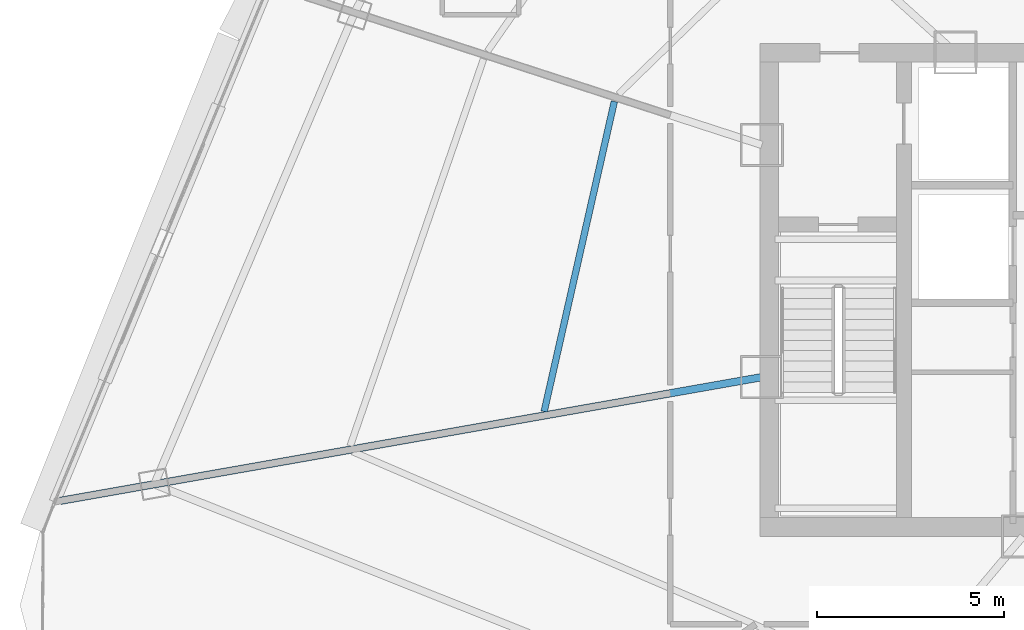
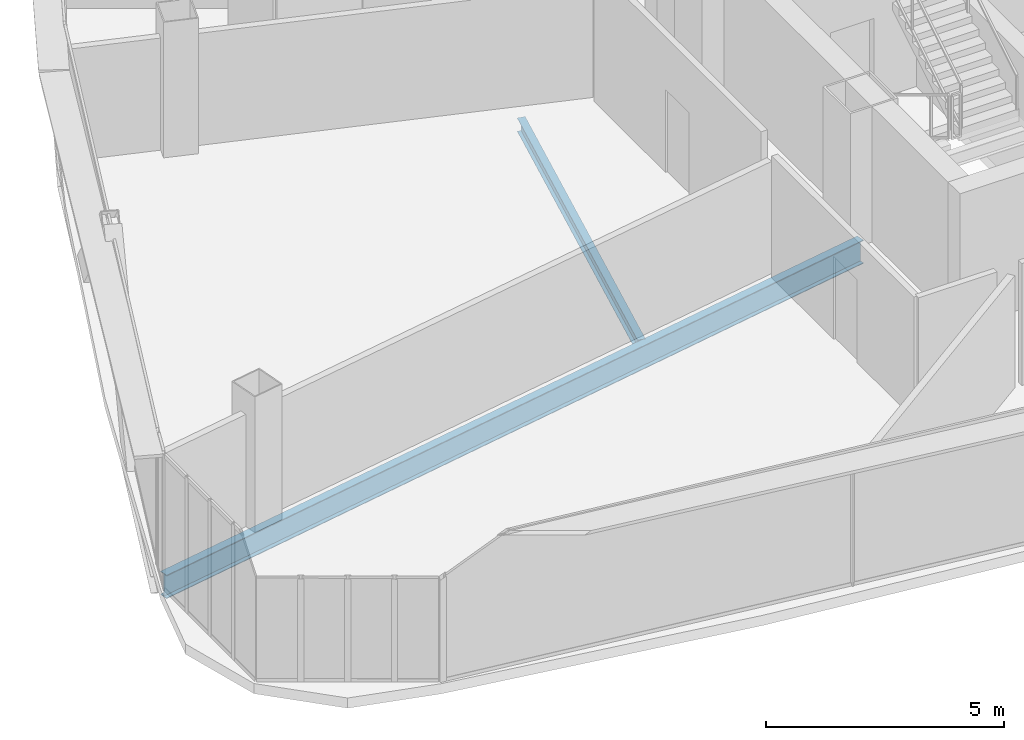
# One storey, part 5 of 40: 2 beams.
"""IFC4 building model written with IfcOpenShell, lengths in metres."""

from ifc_helpers import new_model, si_unit, direction, frame, origin, origin_2d, place, context, subcontext, project, spatial, i_section, extrude, source, transform, mapped, material, material_profile, profile_set, type_object, element, save


model = new_model("IFC4")

# Units and contexts
model_context = context("Model", 3, precision=1e-05, world=origin(), true_north=direction((0.0, 1.0)))
body_context = subcontext(model_context, "Body", "Model", "MODEL_VIEW")
ifc_project = project(units=[si_unit("LENGTHUNIT", "METRE"), si_unit("AREAUNIT", "SQUARE_METRE"), si_unit("VOLUMEUNIT", "CUBIC_METRE"), si_unit("PLANEANGLEUNIT", "RADIAN"), si_unit("MASSUNIT", "GRAM", prefix="KILO"), si_unit("THERMODYNAMICTEMPERATUREUNIT", "KELVIN"), si_unit("POWERUNIT", "WATT")], contexts=[model_context])

# Site, building, storey
site_placement = place(None, origin())
site = spatial("IfcSite", under=ifc_project, at=site_placement, CompositionType="ELEMENT")
building_placement = place(site_placement, origin())
building = spatial("IfcBuilding", under=site, at=building_placement, Name="Yunzhuo Pagoda Commons", CompositionType="ELEMENT")
storey_placement = place(building_placement, frame((0.0, 0.0, 292.47998046875)))
storey = spatial("IfcBuildingStorey", under=building, at=storey_placement, Name="L73", CompositionType="ELEMENT", Elevation=292.47998046875)

# Beams
ifc_material = material(Name="Structural steel Q355B", Category="steel")
ifc_material_profile_1 = material_profile(ifc_material, i_section(OverallWidth=0.175048828125, OverallDepth=0.35009765625, WebThickness=0.007080078125, FlangeThickness=0.010986328125, at=origin_2d()), Name="Structural steel Q355B")
ifc_profile_set_1 = profile_set([ifc_material_profile_1], Name="Structural steel Q355B")
beam_type_1 = type_object("IfcBeamType", Name="B-JS2 Joist HN 350x175x7x11", PredefinedType="JOIST", material=ifc_profile_set_1)
shared_shape_1 = source(origin(), body_context, "Body", "SweptSolid", [
    extrude(i_section(OverallWidth=0.175048828125, OverallDepth=0.35009765625, WebThickness=0.007080078125, FlangeThickness=0.010986328125, at=origin_2d()), origin(), (0.0, 0.0, 1.0), 8.508544921875),
])
beam_1_placement = place(storey_placement, frame((31.649658203125, 38.89208984375, -0.43505859375), z_axis=(-0.220769003385, -0.975326123481, 0.0), x_axis=(0.975326123481, -0.220769003385, 0.0)))
element("IfcBeam", 1, at=beam_1_placement, inside=storey, type_object=beam_type_1, Name="L73 composite ring joist 1.11", PredefinedType="JOIST", context=body_context, shape_type="MappedRepresentation", body=[
    mapped(shared_shape_1, transform((0.0, 0.0, 0.0), scale=1.0)),
])
ifc_material_profile_2 = material_profile(ifc_material, i_section(OverallWidth=0.199951171875, OverallDepth=0.60009765625, WebThickness=0.010986328125, FlangeThickness=0.01708984375, at=origin_2d()), Name="Structural steel Q355B")
ifc_profile_set_2 = profile_set([ifc_material_profile_2], Name="Structural steel Q355B")
beam_type_2 = type_object("IfcBeamType", Name="B-RG3 Beam HN 600x200x11x17", PredefinedType="BEAM", material=ifc_profile_set_2)
shared_shape_2 = source(origin(), body_context, "Body", "SweptSolid", [
    extrude(i_section(OverallWidth=0.199951171875, OverallDepth=0.60009765625, WebThickness=0.010986328125, FlangeThickness=0.01708984375, at=origin_2d()), origin(), (0.0, 0.0, 1.0), 19.06884765625),
])
beam_2_placement = place(storey_placement, frame((16.82080078125, 28.202392578125, -0.56005859375), z_axis=(0.984810098602, 0.173634874639, 0.0), x_axis=(-0.173634874639, 0.984810098602, 0.0)))
element("IfcBeam", 2, at=beam_2_placement, inside=storey, type_object=beam_type_2, Name="L73 radial floor girder F3C4", PredefinedType="BEAM", context=body_context, shape_type="MappedRepresentation", body=[
    mapped(shared_shape_2, transform((0.0, 0.0, 0.0), scale=1.0)),
])

save(model, "model.ifc")
